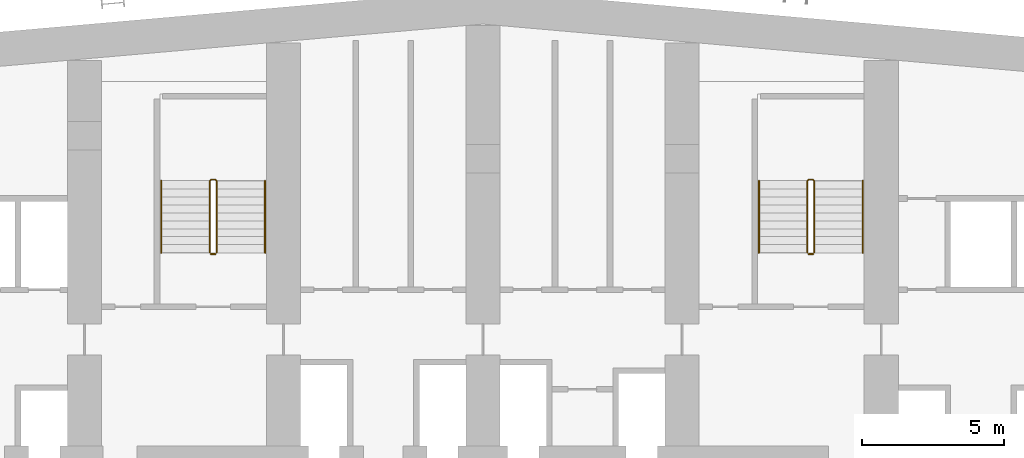
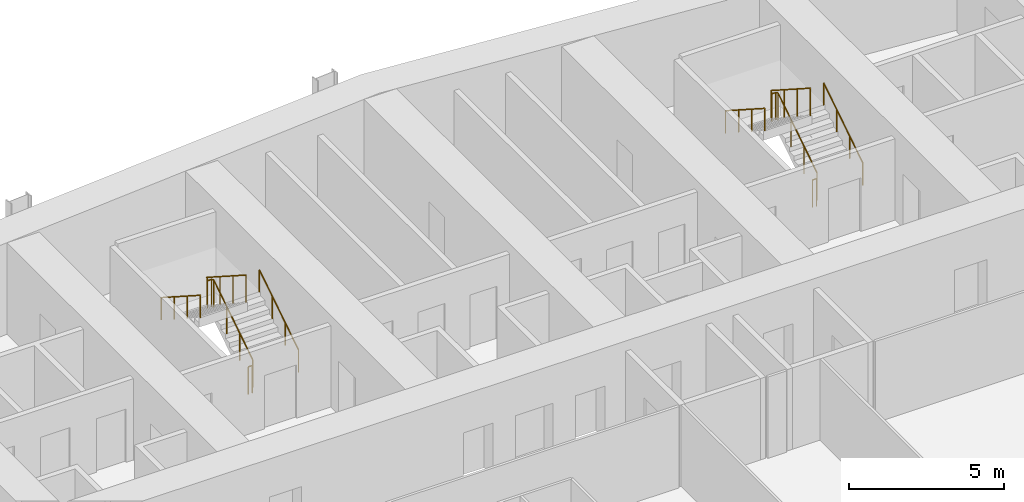
# One storey, part 23 of 24: 8 railings.
"""IFC4 building model written with IfcOpenShell, lengths in metres."""

from ifc_helpers import new_model, si_unit, direction, frame, origin, origin_2d, place, context, subcontext, project, spatial, circle, extrude, material, type_object, element, save


model = new_model("IFC4")

# Units and contexts
model_context = context("Model", 3, precision=1e-05, world=origin(), true_north=direction((0.0, 1.0)))
body_context = subcontext(model_context, "Body", "Model", "MODEL_VIEW")
ifc_project = project(units=[si_unit("LENGTHUNIT", "METRE"), si_unit("AREAUNIT", "SQUARE_METRE"), si_unit("VOLUMEUNIT", "CUBIC_METRE"), si_unit("PLANEANGLEUNIT", "RADIAN"), si_unit("MASSUNIT", "GRAM", prefix="KILO")], contexts=[model_context])

# Site, building, storey
site_placement = place(None, origin())
site = spatial("IfcSite", under=ifc_project, at=site_placement, CompositionType="ELEMENT")
building_placement = place(site_placement, origin())
building = spatial("IfcBuilding", under=site, at=building_placement, Name="Wharfspan Tower", CompositionType="ELEMENT")
storey_placement = place(building_placement, frame((0.0, 0.0, 41.5)))
storey = spatial("IfcBuildingStorey", under=building, at=storey_placement, Name="L06", CompositionType="ELEMENT", Elevation=41.5)

# Railings
ifc_material = material(Name="Steel S355J2", Category="steel")
railing_type_1 = type_object("IfcRailingType", Name="Stair guard 1100", PredefinedType="GUARDRAIL", material=ifc_material)
railing_1_placement = place(storey_placement, frame((27.649902, 42.0, 0.179932)))
element("IfcRailing", 1, at=railing_1_placement, inside=storey, type_object=railing_type_1, Name="L06 ST1 stair guard 1", PredefinedType="GUARDRAIL", context=body_context, shape_type="SweptSolid", body=[
    extrude(circle(Radius=0.023926, at=origin_2d()), frame((0.0, 0.0, 1.076172), z_axis=(0.0, 0.841163, 0.540782), x_axis=(-1.0, 0.0, 0.0)), (0.0, 0.0, 1.0), 2.99585),
    extrude(circle(Radius=0.023926, at=origin_2d()), frame((0.0, 2.52002, 2.696289), z_axis=(-0.705376, 0.708834, 0.0), x_axis=(-0.708834, -0.705376, 0.0)), (0.0, 0.0, 1.0), 0.070557),
    extrude(circle(Radius=0.023926, at=origin_2d()), frame((-0.049805, 2.570068, 2.696289), z_axis=(-1.0, 0.0, 0.0), x_axis=(0.0, -1.0, 0.0)), (0.0, 0.0, 1.0), 0.150146),
    extrude(circle(Radius=0.023926, at=origin_2d()), frame((-0.199951, 2.570068, 2.696289), z_axis=(-0.258848, -0.258848, 0.930589), x_axis=(0.707107, -0.707107, 0.0)), (0.0, 0.0, 1.0), 0.193359),
    extrude(circle(Radius=0.023926, at=origin_2d()), frame((-0.25, 2.52002, 2.875977), z_axis=(0.0, -0.841163, 0.540782), x_axis=(1.0, 0.0, 0.0)), (0.0, 0.0, 1.0), 2.99585),
    extrude(circle(Radius=0.020996, at=origin_2d()), origin(), (0.0, 0.0, 1.0), 1.052002),
    extrude(circle(Radius=0.020996, at=origin_2d()), frame((0.0, 0.840088, 0.540039)), (0.0, 0.0, 1.0), 1.052002),
    extrude(circle(Radius=0.020996, at=origin_2d()), frame((0.0, 1.679932, 1.080078)), (0.0, 0.0, 1.0), 1.052002),
    extrude(circle(Radius=0.020996, at=origin_2d()), frame((0.0, 2.52002, 1.620117)), (0.0, 0.0, 1.0), 1.052002),
    extrude(circle(Radius=0.020996, at=origin_2d()), frame((-0.049805, 2.570068, 1.620117)), (0.0, 0.0, 1.0), 1.052002),
    extrude(circle(Radius=0.020996, at=origin_2d()), frame((-0.199951, 2.570068, 1.620117)), (0.0, 0.0, 1.0), 1.052002),
    extrude(circle(Radius=0.020996, at=origin_2d()), frame((-0.25, 2.52002, 1.800049)), (0.0, 0.0, 1.0), 1.052002),
    extrude(circle(Radius=0.020996, at=origin_2d()), frame((-0.25, 1.679932, 2.340088)), (0.0, 0.0, 1.0), 1.052002),
    extrude(circle(Radius=0.020996, at=origin_2d()), frame((-0.25, 0.840088, 2.880127)), (0.0, 0.0, 1.0), 1.052002),
    extrude(circle(Radius=0.020996, at=origin_2d()), frame((-0.25, 0.0, 3.420166)), (0.0, 0.0, 1.0), 1.052002),
])
railing_2_placement = place(storey_placement, frame((27.600098, 41.949951, 0.0)))
element("IfcRailing", 2, at=railing_2_placement, inside=storey, type_object=railing_type_1, Name="L06 ST1 stair guard 2", PredefinedType="GUARDRAIL", context=body_context, shape_type="SweptSolid", body=[
    extrude(circle(Radius=0.023926, at=origin_2d()), frame((0.0, 0.0, 1.076172), z_axis=(-1.0, 0.0, 0.0), x_axis=(0.0, -1.0, 0.0)), (0.0, 0.0, 1.0), 0.150146),
    extrude(circle(Radius=0.020996, at=origin_2d()), origin(), (0.0, 0.0, 1.0), 1.052002),
    extrude(circle(Radius=0.020996, at=origin_2d()), frame((-0.150146, 0.0, 0.0)), (0.0, 0.0, 1.0), 1.052002),
])
railing_3_placement = place(storey_placement, frame((48.649902, 42.0, 0.179932)))
element("IfcRailing", 3, at=railing_3_placement, inside=storey, type_object=railing_type_1, Name="L06 ST2 stair guard 1", PredefinedType="GUARDRAIL", context=body_context, shape_type="SweptSolid", body=[
    extrude(circle(Radius=0.023926, at=origin_2d()), frame((0.0, 0.0, 1.076172), z_axis=(0.0, 0.841163, 0.540782), x_axis=(-1.0, 0.0, 0.0)), (0.0, 0.0, 1.0), 2.99585),
    extrude(circle(Radius=0.023926, at=origin_2d()), frame((0.0, 2.52002, 2.696289), z_axis=(-0.705376, 0.708834, 0.0), x_axis=(-0.708834, -0.705376, 0.0)), (0.0, 0.0, 1.0), 0.070557),
    extrude(circle(Radius=0.023926, at=origin_2d()), frame((-0.049805, 2.570068, 2.696289), z_axis=(-1.0, 0.0, 0.0), x_axis=(0.0, -1.0, 0.0)), (0.0, 0.0, 1.0), 0.150146),
    extrude(circle(Radius=0.023926, at=origin_2d()), frame((-0.199951, 2.570068, 2.696289), z_axis=(-0.258848, -0.258848, 0.930589), x_axis=(0.707107, -0.707107, 0.0)), (0.0, 0.0, 1.0), 0.193359),
    extrude(circle(Radius=0.023926, at=origin_2d()), frame((-0.25, 2.52002, 2.875977), z_axis=(0.0, -0.841163, 0.540782), x_axis=(1.0, 0.0, 0.0)), (0.0, 0.0, 1.0), 2.99585),
    extrude(circle(Radius=0.020996, at=origin_2d()), origin(), (0.0, 0.0, 1.0), 1.052002),
    extrude(circle(Radius=0.020996, at=origin_2d()), frame((0.0, 0.840088, 0.540039)), (0.0, 0.0, 1.0), 1.052002),
    extrude(circle(Radius=0.020996, at=origin_2d()), frame((0.0, 1.679932, 1.080078)), (0.0, 0.0, 1.0), 1.052002),
    extrude(circle(Radius=0.020996, at=origin_2d()), frame((0.0, 2.52002, 1.620117)), (0.0, 0.0, 1.0), 1.052002),
    extrude(circle(Radius=0.020996, at=origin_2d()), frame((-0.049805, 2.570068, 1.620117)), (0.0, 0.0, 1.0), 1.052002),
    extrude(circle(Radius=0.020996, at=origin_2d()), frame((-0.199951, 2.570068, 1.620117)), (0.0, 0.0, 1.0), 1.052002),
    extrude(circle(Radius=0.020996, at=origin_2d()), frame((-0.25, 2.52002, 1.800049)), (0.0, 0.0, 1.0), 1.052002),
    extrude(circle(Radius=0.020996, at=origin_2d()), frame((-0.25, 1.679932, 2.340088)), (0.0, 0.0, 1.0), 1.052002),
    extrude(circle(Radius=0.020996, at=origin_2d()), frame((-0.25, 0.840088, 2.880127)), (0.0, 0.0, 1.0), 1.052002),
    extrude(circle(Radius=0.020996, at=origin_2d()), frame((-0.25, 0.0, 3.420166)), (0.0, 0.0, 1.0), 1.052002),
])
railing_4_placement = place(storey_placement, frame((48.600098, 41.949951, 0.0)))
element("IfcRailing", 4, at=railing_4_placement, inside=storey, type_object=railing_type_1, Name="L06 ST2 stair guard 2", PredefinedType="GUARDRAIL", context=body_context, shape_type="SweptSolid", body=[
    extrude(circle(Radius=0.023926, at=origin_2d()), frame((0.0, 0.0, 1.076172), z_axis=(-1.0, 0.0, 0.0), x_axis=(0.0, -1.0, 0.0)), (0.0, 0.0, 1.0), 0.150146),
    extrude(circle(Radius=0.020996, at=origin_2d()), origin(), (0.0, 0.0, 1.0), 1.052002),
    extrude(circle(Radius=0.020996, at=origin_2d()), frame((-0.150146, 0.0, 0.0)), (0.0, 0.0, 1.0), 1.052002),
])
railing_type_2 = type_object("IfcRailingType", Name="Stair handrail 900", PredefinedType="HANDRAIL", material=ifc_material)
railing_5_placement = place(storey_placement, frame((29.350098, 42.0, 0.179932)))
element("IfcRailing", 5, at=railing_5_placement, inside=storey, type_object=railing_type_2, Name="L06 ST1 stair handrail 1", PredefinedType="HANDRAIL", context=body_context, shape_type="SweptSolid", body=[
    extrude(circle(Radius=0.023926, at=origin_2d()), frame((0.0, 0.0, 0.875977), z_axis=(0.0, 0.841163, 0.540782), x_axis=(-1.0, 0.0, 0.0)), (0.0, 0.0, 1.0), 2.99585),
    extrude(circle(Radius=0.020996, at=origin_2d()), origin(), (0.0, 0.0, 1.0), 0.851807),
    extrude(circle(Radius=0.020996, at=origin_2d()), frame((0.0, 0.840088, 0.540039)), (0.0, 0.0, 1.0), 0.851807),
    extrude(circle(Radius=0.020996, at=origin_2d()), frame((0.0, 1.679932, 1.080078)), (0.0, 0.0, 1.0), 0.851807),
    extrude(circle(Radius=0.020996, at=origin_2d()), frame((0.0, 2.52002, 1.620117)), (0.0, 0.0, 1.0), 0.851807),
])
railing_6_placement = place(storey_placement, frame((25.699951, 44.52002, 1.97998)))
element("IfcRailing", 6, at=railing_6_placement, inside=storey, type_object=railing_type_2, Name="L06 ST1 stair handrail 2", PredefinedType="HANDRAIL", context=body_context, shape_type="SweptSolid", body=[
    extrude(circle(Radius=0.023926, at=origin_2d()), frame((0.0, 0.0, 0.875977), z_axis=(0.0, -0.841163, 0.540782), x_axis=(1.0, 0.0, 0.0)), (0.0, 0.0, 1.0), 2.99585),
    extrude(circle(Radius=0.020996, at=origin_2d()), origin(), (0.0, 0.0, 1.0), 0.851807),
    extrude(circle(Radius=0.020996, at=origin_2d()), frame((0.0, -0.840088, 0.540039)), (0.0, 0.0, 1.0), 0.851807),
    extrude(circle(Radius=0.020996, at=origin_2d()), frame((0.0, -1.679932, 1.080078)), (0.0, 0.0, 1.0), 0.851807),
    extrude(circle(Radius=0.020996, at=origin_2d()), frame((0.0, -2.52002, 1.620117)), (0.0, 0.0, 1.0), 0.851807),
])
railing_7_placement = place(storey_placement, frame((50.350098, 42.0, 0.179932)))
element("IfcRailing", 7, at=railing_7_placement, inside=storey, type_object=railing_type_2, Name="L06 ST2 stair handrail 1", PredefinedType="HANDRAIL", context=body_context, shape_type="SweptSolid", body=[
    extrude(circle(Radius=0.023926, at=origin_2d()), frame((0.0, 0.0, 0.875977), z_axis=(0.0, 0.841163, 0.540782), x_axis=(-1.0, 0.0, 0.0)), (0.0, 0.0, 1.0), 2.99585),
    extrude(circle(Radius=0.020996, at=origin_2d()), origin(), (0.0, 0.0, 1.0), 0.851807),
    extrude(circle(Radius=0.020996, at=origin_2d()), frame((0.0, 0.840088, 0.540039)), (0.0, 0.0, 1.0), 0.851807),
    extrude(circle(Radius=0.020996, at=origin_2d()), frame((0.0, 1.679932, 1.080078)), (0.0, 0.0, 1.0), 0.851807),
    extrude(circle(Radius=0.020996, at=origin_2d()), frame((0.0, 2.52002, 1.620117)), (0.0, 0.0, 1.0), 0.851807),
])
railing_8_placement = place(storey_placement, frame((46.699951, 44.52002, 1.97998)))
element("IfcRailing", 8, at=railing_8_placement, inside=storey, type_object=railing_type_2, Name="L06 ST2 stair handrail 2", PredefinedType="HANDRAIL", context=body_context, shape_type="SweptSolid", body=[
    extrude(circle(Radius=0.023926, at=origin_2d()), frame((0.0, 0.0, 0.875977), z_axis=(0.0, -0.841163, 0.540782), x_axis=(1.0, 0.0, 0.0)), (0.0, 0.0, 1.0), 2.99585),
    extrude(circle(Radius=0.020996, at=origin_2d()), origin(), (0.0, 0.0, 1.0), 0.851807),
    extrude(circle(Radius=0.020996, at=origin_2d()), frame((0.0, -0.840088, 0.540039)), (0.0, 0.0, 1.0), 0.851807),
    extrude(circle(Radius=0.020996, at=origin_2d()), frame((0.0, -1.679932, 1.080078)), (0.0, 0.0, 1.0), 0.851807),
    extrude(circle(Radius=0.020996, at=origin_2d()), frame((0.0, -2.52002, 1.620117)), (0.0, 0.0, 1.0), 0.851807),
])

save(model, "model.ifc")
